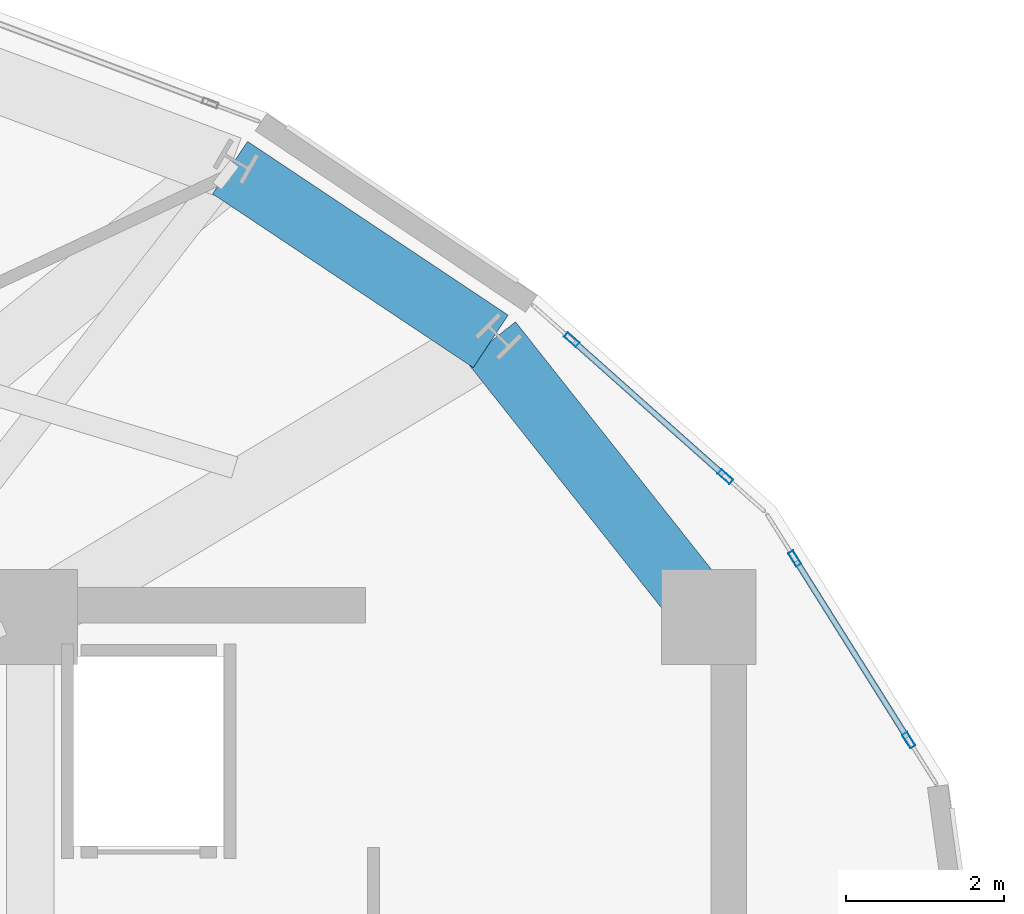
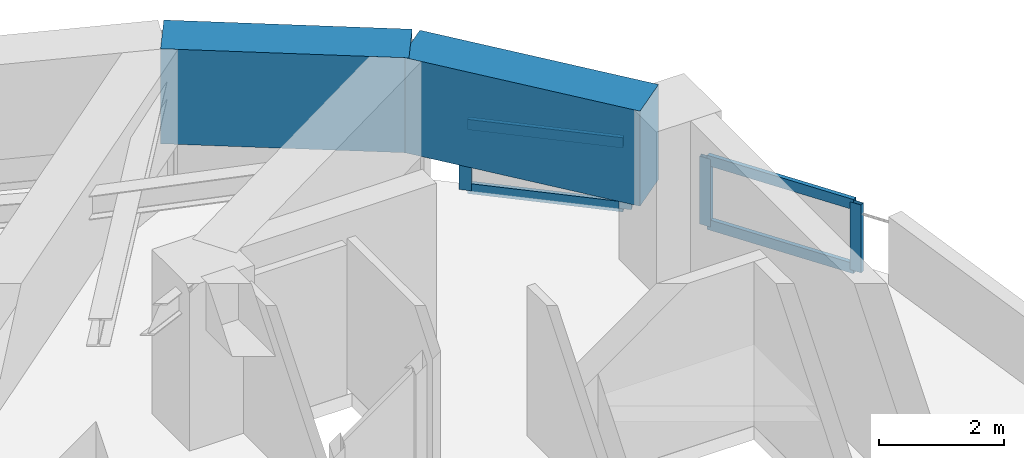
# One storey, part 11 of 17: 8 members, 2 beams, 2 elements without a shape of their own.
"""IFC4 building model written with IfcOpenShell, lengths in metres."""

from ifc_helpers import new_model, si_unit, direction, frame, origin, origin_2d, place, context, subcontext, project, spatial, rectangle, hollow_rectangle, extrude, material, layer, layer_set, material_profile, profile_set, type_object, element, aggregate, save


model = new_model("IFC4")

# Units and contexts
model_context = context("Model", 3, precision=1e-05, world=origin(), true_north=direction((0.0, 1.0)))
body_context = subcontext(model_context, "Body", "Model", "MODEL_VIEW")
ifc_project = project(units=[si_unit("LENGTHUNIT", "METRE"), si_unit("AREAUNIT", "SQUARE_METRE"), si_unit("VOLUMEUNIT", "CUBIC_METRE"), si_unit("PLANEANGLEUNIT", "RADIAN"), si_unit("MASSUNIT", "GRAM", prefix="KILO")], contexts=[model_context])

# Site, building, storey
site_placement = place(None, origin())
site = spatial("IfcSite", under=ifc_project, at=site_placement, CompositionType="ELEMENT")
building_placement = place(site_placement, origin())
building = spatial("IfcBuilding", under=site, at=building_placement, Name="Solvane Sanctuary Tower", CompositionType="ELEMENT")
storey_placement = place(building_placement, frame((0.0, 0.0, 273.199951171875)))
storey = spatial("IfcBuildingStorey", under=building, at=storey_placement, Name="L83", CompositionType="ELEMENT", Elevation=273.199951171875)

# Beams
ifc_material_1 = material(Name="Concrete C70/85", Category="concrete")
ifc_material_profile_1 = material_profile(ifc_material_1, rectangle(XDim=0.800048828125, YDim=1.85009765625, at=origin_2d()), Name="RC800X1850")
ifc_profile_set_1 = profile_set([ifc_material_profile_1], Name="Concrete C70/85")
beam_type = type_object("IfcBeamType", Name="Beam B-XFER-BLK RC800X1850", PredefinedType="BEAM", material=ifc_profile_set_1)
beam_1_placement = place(storey_placement, frame((42.632080078125, 35.89501953125, 2.275146484375), z_axis=(0.832059756054, -0.554686003389, 0.0), x_axis=(0.554686003389, 0.832059756054, 0.0)))
element("IfcBeam", 1, at=beam_1_placement, inside=storey, type_object=beam_type, Name="L83 Perimeter Step Transfer Ring NTC02-NTC01", PredefinedType="BEAM", context=body_context, shape_type="SweptSolid", body=[
    extrude(rectangle(XDim=0.800048828125, YDim=1.85009765625, at=origin_2d()), origin(), (0.0, 0.0, 1.0), 3.9697265625),
])
beam_2_placement = place(storey_placement, frame((45.93505859375, 33.693115234375, 2.275146484375), z_axis=(0.620658656837, -0.784080883387, 0.0), x_axis=(0.784080883387, 0.620658656837, 0.0)))
element("IfcBeam", 2, at=beam_2_placement, inside=storey, type_object=beam_type, Name="L83 Perimeter Step Transfer Ring NTC01-CE3", PredefinedType="BEAM", context=body_context, shape_type="SweptSolid", body=[
    extrude(rectangle(XDim=0.800048828125, YDim=1.85009765625, at=origin_2d()), origin(), (0.0, 0.0, 1.0), 4.094970703125),
])

# Curtain wall, members
ifc_material_2 = material(Name="Anodised Aluminium 6063-T6", Category="aluminium")
ifc_layer = layer(ifc_material_2, 0.219970703125, Name="Anodised Aluminium 6063-T6")
ifc_layer_set = layer_set([ifc_layer], Name="Anodised Aluminium 6063-T6")
curtain_wall_type = type_object("IfcCurtainWallType", Name="Curtain Wall CW-CROWN", PredefinedType="NOTDEFINED", material=ifc_layer_set)
curtain_wall_1_placement = place(storey_placement, origin())
curtain_wall_1 = element("IfcCurtainWall", 3, at=curtain_wall_1_placement, inside=storey, type_object=curtain_wall_type, Name="L83 Crown Fritted Lantern Curtain Wall 01", PredefinedType="NOTDEFINED")
ifc_material_profile_2 = material_profile(ifc_material_2, hollow_rectangle(XDim=0.074951171875, YDim=0.199951171875, WallThickness=0.00390625, at=origin_2d()), Name="ALU200X75X4")
ifc_profile_set_2 = profile_set([ifc_material_profile_2], Name="Anodised Aluminium 6063-T6")
member_type_1 = type_object("IfcMemberType", Name="Member M-CW-MUL-1 ALU200X75X4", PredefinedType="MULLION", material=ifc_profile_set_2)
member_1_placement = place(storey_placement, frame((51.23291015625, 28.63916015625, 0.0), z_axis=(0.0, 0.0, 1.0), x_axis=(-0.846857735154, -0.53181949608, 0.0)))
member_1 = element("IfcMember", 4, at=member_1_placement, type_object=member_type_1, Name="CW-CROWN mullion 1", PredefinedType="MULLION", context=body_context, shape_type="SweptSolid", body=[
    extrude(hollow_rectangle(XDim=0.074951171875, YDim=0.199951171875, WallThickness=0.00390625, at=origin_2d()), origin(), (0.0, 0.0, 1.0), 1.320068359375),
])
member_2_placement = place(storey_placement, frame((49.78759765625, 30.940673828125, 0.0), z_axis=(0.0, 0.0, 1.0), x_axis=(-0.846857735154, -0.53181949608, 0.0)))
member_2 = element("IfcMember", 5, at=member_2_placement, type_object=member_type_1, Name="CW-CROWN mullion 2", PredefinedType="MULLION", context=body_context, shape_type="SweptSolid", body=[
    extrude(hollow_rectangle(XDim=0.074951171875, YDim=0.199951171875, WallThickness=0.00390625, at=origin_2d()), origin(), (0.0, 0.0, 1.0), 1.320068359375),
])

curtain_wall_2_placement = place(storey_placement, origin())
curtain_wall_2 = element("IfcCurtainWall", 6, at=curtain_wall_2_placement, inside=storey, type_object=curtain_wall_type, Name="L83 Crown Fritted Lantern Curtain Wall 02", PredefinedType="NOTDEFINED")
member_3_placement = place(storey_placement, frame((48.908447265625, 31.980224609375, 0.0), z_axis=(0.0, 0.0, 1.0), x_axis=(-0.664886652244, -0.746944268113, 0.0)))
member_3 = element("IfcMember", 7, at=member_3_placement, type_object=member_type_1, Name="CW-CROWN mullion 1", PredefinedType="MULLION", context=body_context, shape_type="SweptSolid", body=[
    extrude(hollow_rectangle(XDim=0.074951171875, YDim=0.199951171875, WallThickness=0.00390625, at=origin_2d()), origin(), (0.0, 0.0, 1.0), 1.320068359375),
])
member_4_placement = place(storey_placement, frame((46.9609375, 33.713623046875, 0.0), z_axis=(0.0, 0.0, 1.0), x_axis=(-0.664886652244, -0.746944268113, 0.0)))
member_4 = element("IfcMember", 8, at=member_4_placement, type_object=member_type_1, Name="CW-CROWN mullion 2", PredefinedType="MULLION", context=body_context, shape_type="SweptSolid", body=[
    extrude(hollow_rectangle(XDim=0.074951171875, YDim=0.199951171875, WallThickness=0.00390625, at=origin_2d()), origin(), (0.0, 0.0, 1.0), 1.320068359375),
])

# Member
ifc_material_profile_3 = material_profile(ifc_material_2, hollow_rectangle(XDim=0.074951171875, YDim=0.199951171875, WallThickness=0.00390625, at=origin_2d()), Name="ALU200X75X4")
ifc_profile_set_3 = profile_set([ifc_material_profile_3], Name="Anodised Aluminium 6063-T6")
member_type_2 = type_object("IfcMemberType", Name="Member M-CW-TRN-2 ALU200X75X4", PredefinedType="USERDEFINED", material=ifc_profile_set_3)
member_5_placement = place(storey_placement, frame((51.213134765625, 28.6708984375, 0.03759765625), z_axis=(-0.531832847295, 0.846849350557, 0.0), x_axis=(-0.846849350557, -0.531832847295, 0.0)))
member_5 = element("IfcMember", 9, at=member_5_placement, type_object=member_type_2, Name="CW-CROWN transom 1.1", ObjectType="TRANSOM", PredefinedType="USERDEFINED", context=body_context, shape_type="SweptSolid", body=[
    extrude(hollow_rectangle(XDim=0.074951171875, YDim=0.199951171875, WallThickness=0.00390625, at=origin_2d()), origin(), (0.0, 0.0, 1.0), 2.642822265625),
])

member_6_placement = place(storey_placement, frame((51.213134765625, 28.6708984375, 1.282470703125), z_axis=(-0.531832847295, 0.846849350557, 0.0), x_axis=(-0.846849350557, -0.531832847295, 0.0)))
member_6 = element("IfcMember", 10, at=member_6_placement, type_object=member_type_2, Name="CW-CROWN transom 1.2", ObjectType="TRANSOM", PredefinedType="USERDEFINED", context=body_context, shape_type="SweptSolid", body=[
    extrude(hollow_rectangle(XDim=0.074951171875, YDim=0.199951171875, WallThickness=0.00390625, at=origin_2d()), origin(), (0.0, 0.0, 1.0), 2.642822265625),
])

aggregate(curtain_wall_1, [member_1, member_2, member_5, member_6])

member_7_placement = place(storey_placement, frame((48.88037109375, 32.005126953125, 0.03759765625), z_axis=(-0.746941012919, 0.664890309163, 0.0), x_axis=(-0.664890309163, -0.746941012919, 0.0)))
member_7 = element("IfcMember", 11, at=member_7_placement, type_object=member_type_2, Name="CW-CROWN transom 1.1", ObjectType="TRANSOM", PredefinedType="USERDEFINED", context=body_context, shape_type="SweptSolid", body=[
    extrude(hollow_rectangle(XDim=0.074951171875, YDim=0.199951171875, WallThickness=0.00390625, at=origin_2d()), origin(), (0.0, 0.0, 1.0), 2.5322265625),
])

member_8_placement = place(storey_placement, frame((48.88037109375, 32.005126953125, 1.282470703125), z_axis=(-0.746941012919, 0.664890309163, 0.0), x_axis=(-0.664890309163, -0.746941012919, 0.0)))
member_8 = element("IfcMember", 12, at=member_8_placement, type_object=member_type_2, Name="CW-CROWN transom 1.2", ObjectType="TRANSOM", PredefinedType="USERDEFINED", context=body_context, shape_type="SweptSolid", body=[
    extrude(hollow_rectangle(XDim=0.074951171875, YDim=0.199951171875, WallThickness=0.00390625, at=origin_2d()), origin(), (0.0, 0.0, 1.0), 2.5322265625),
])

aggregate(curtain_wall_2, [member_3, member_4, member_7, member_8])

save(model, "model.ifc")
